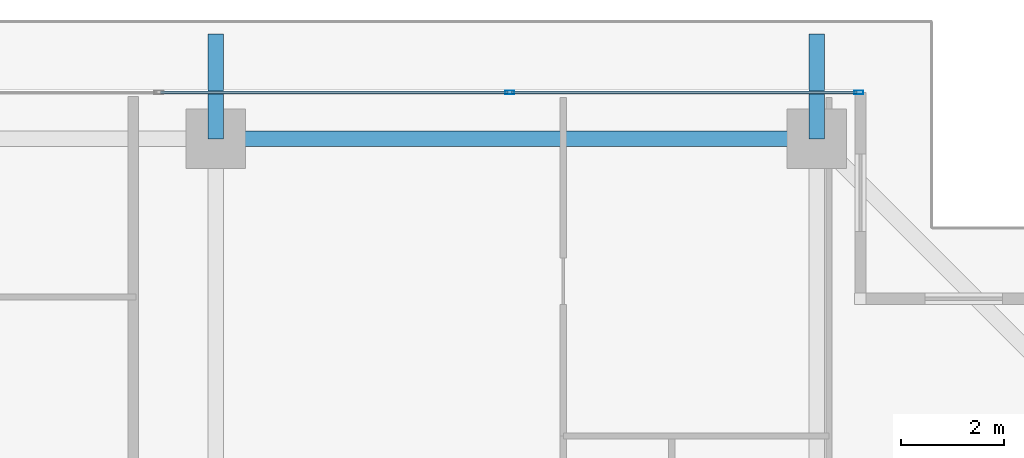
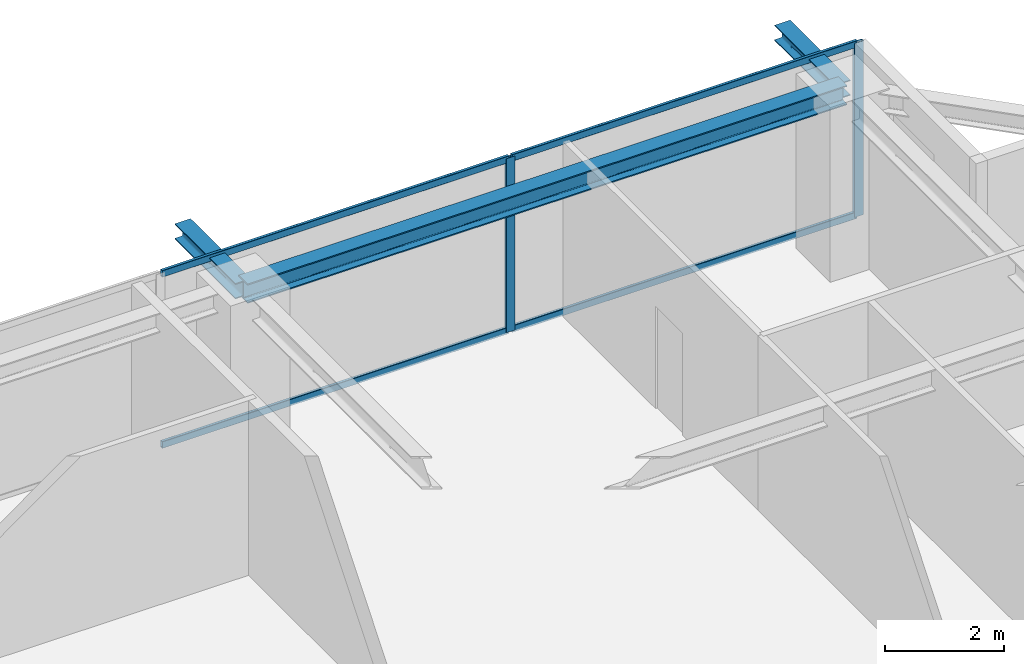
# One storey, part 22 of 35: 6 members, 3 beams, 1 element without a shape of its own.
"""IFC4 building model written with IfcOpenShell, lengths in metres."""

from ifc_helpers import new_model, si_unit, direction, frame, origin, origin_2d, place, context, subcontext, project, spatial, hollow_rectangle, i_section, extrude, source, transform, mapped, material, layer, layer_set, material_profile, profile_set, type_object, element, aggregate, save


model = new_model("IFC4")

# Units and contexts
model_context = context("Model", 3, precision=1e-05, world=origin(), true_north=direction((0.0, 1.0)))
body_context = subcontext(model_context, "Body", "Model", "MODEL_VIEW")
ifc_project = project(units=[si_unit("LENGTHUNIT", "METRE"), si_unit("AREAUNIT", "SQUARE_METRE"), si_unit("VOLUMEUNIT", "CUBIC_METRE"), si_unit("PLANEANGLEUNIT", "RADIAN"), si_unit("MASSUNIT", "GRAM", prefix="KILO")], contexts=[model_context])

# Site, building, storey
site_placement = place(None, origin())
site = spatial("IfcSite", under=ifc_project, at=site_placement, CompositionType="ELEMENT")
building_placement = place(site_placement, origin())
building = spatial("IfcBuilding", under=site, at=building_placement, Name="Serunith Strait Residences", CompositionType="ELEMENT")
storey_placement = place(building_placement, frame((0.0, 0.0, 214.300048828125)))
storey = spatial("IfcBuildingStorey", under=building, at=storey_placement, Name="L53", CompositionType="ELEMENT", Elevation=214.300048828125)

# Beams
ifc_material_1 = material(Name="Steel S355J2", Category="steel")
ifc_material_profile_1 = material_profile(ifc_material_1, i_section(OverallWidth=0.300048828125, OverallDepth=0.39990234375, WebThickness=0.013427734375, FlangeThickness=0.02392578125, FilletRadius=0.027099609375, at=origin_2d()), Name="HEB 400")
ifc_profile_set_1 = profile_set([ifc_material_profile_1], Name="Steel S355J2")
beam_type_1 = type_object("IfcBeamType", Name="BM-HEB400", PredefinedType="BEAM", material=ifc_profile_set_1)
shared_shape_1 = source(origin(), body_context, "Body", "SweptSolid", [
    extrude(i_section(OverallWidth=0.300048828125, OverallDepth=0.39990234375, WebThickness=0.013427734375, FlangeThickness=0.02392578125, FilletRadius=0.027099609375, at=origin_2d()), origin(), (0.0, 0.0, 1.0), 11.650146484375),
])
beam_placement = place(storey_placement, frame((48.550048828125, 48.300048828125, 3.386962890625), z_axis=(-1.0, 0.0, 0.0), x_axis=(0.0, -1.0, 0.0)))
element("IfcBeam", 1, at=beam_placement, inside=storey, type_object=beam_type_1, Name="L53 Perimeter Ring Beam 09", PredefinedType="BEAM", context=body_context, shape_type="MappedRepresentation", body=[
    mapped(shared_shape_1, transform((0.0, 0.0, 0.0), scale=1.0)),
])
ifc_material_profile_2 = material_profile(ifc_material_1, i_section(OverallWidth=0.300048828125, OverallDepth=0.320068359375, WebThickness=0.011474609375, FlangeThickness=0.0205078125, FilletRadius=0.027099609375, at=origin_2d()), Name="HEB 320")
ifc_profile_set_2 = profile_set([ifc_material_profile_2], Name="Steel S355J2")
beam_type_2 = type_object("IfcBeamType", Name="BM-HEB320", PredefinedType="BEAM", material=ifc_profile_set_2)
shared_shape_2 = source(origin(), body_context, "Body", "SweptSolid", [
    extrude(i_section(OverallWidth=0.300048828125, OverallDepth=0.320068359375, WebThickness=0.011474609375, FlangeThickness=0.0205078125, FilletRadius=0.027099609375, at=origin_2d()), origin(), (0.0, 0.0, 1.0), 2.030029296875),
])
for number, where, z_axis, x_axis, name in (
    (2, (36.89990234375, 48.300048828125, 3.39697265625), (0.0, 1.0, 0.0), (-1.0, 0.0, 0.0), "L54 Cantilevered Balcony Rib TC-N3"),
    (3, (48.550048828125, 48.300048828125, 3.39697265625), (0.0, 1.0, 0.0), (-1.0, 0.0, 0.0), "L54 Cantilevered Balcony Rib TC-N4"),
):
    element("IfcBeam", number, at=place(storey_placement, frame(where, z_axis=z_axis, x_axis=x_axis)), inside=storey, type_object=beam_type_2, Name=name, PredefinedType="BEAM", context=body_context, shape_type="MappedRepresentation", body=[
        mapped(shared_shape_2, transform((0.0, 0.0, 0.0), scale=1.0)),
    ])

# Curtain wall, members
ifc_material_2 = material(Name="Pale-Champagne Anodised Aluminium", Category="aluminium")
ifc_layer = layer(ifc_material_2, 0.199951171875, Name="Pale-Champagne Anodised Aluminium")
ifc_layer_set = layer_set([ifc_layer], Name="Pale-Champagne Anodised Aluminium")
curtain_wall_type = type_object("IfcCurtainWallType", Name="CW-SYS4", PredefinedType="NOTDEFINED", material=ifc_layer_set)
curtain_wall_placement = place(storey_placement, origin())
curtain_wall = element("IfcCurtainWall", 4, at=curtain_wall_placement, inside=storey, type_object=curtain_wall_type, Name="L53 N Unitised Fritted Curtain Wall", PredefinedType="NOTDEFINED")
ifc_material_profile_3 = material_profile(ifc_material_2, hollow_rectangle(XDim=0.06494140625, YDim=0.179931640625, WallThickness=0.00341796875, InnerFilletRadius=0.00537109375, OuterFilletRadius=0.0087890625, at=origin_2d()), Name="ALU 180x65x3.5")
ifc_profile_set_3 = profile_set([ifc_material_profile_3], Name="Pale-Champagne Anodised Aluminium")
member_type_1 = type_object("IfcMemberType", Name="CW-SYS4-MULL", PredefinedType="MULLION", material=ifc_profile_set_3)
shared_shape_3 = source(origin(), body_context, "Body", "SweptSolid", [
    extrude(hollow_rectangle(XDim=0.06494140625, YDim=0.179931640625, WallThickness=0.00341796875, InnerFilletRadius=0.00537109375, OuterFilletRadius=0.0087890625, at=origin_2d()), origin(), (0.0, 0.0, 1.0), 3.574951171875),
])
member_1_placement = place(storey_placement, frame((49.367431640625, 49.199951171875, 0.0), z_axis=(0.0, 0.0, 1.0), x_axis=(0.0, -1.0, 0.0)))
member_1 = element("IfcMember", 5, at=member_1_placement, type_object=member_type_1, Name="CW-4 mullion 1", PredefinedType="MULLION", context=body_context, shape_type="MappedRepresentation", body=[
    mapped(shared_shape_3, transform((0.0, 0.0, 0.0), scale=1.0)),
])
member_2_placement = place(storey_placement, frame((42.60009765625, 49.199951171875, 0.0), z_axis=(0.0, 0.0, 1.0), x_axis=(0.0, -1.0, 0.0)))
member_2 = element("IfcMember", 6, at=member_2_placement, type_object=member_type_1, Name="CW-4 mullion 2", PredefinedType="MULLION", context=body_context, shape_type="MappedRepresentation", body=[
    mapped(shared_shape_3, transform((0.0, 0.0, 0.0), scale=1.0)),
])
ifc_material_profile_4 = material_profile(ifc_material_2, hollow_rectangle(XDim=0.06005859375, YDim=0.139892578125, WallThickness=0.00341796875, InnerFilletRadius=0.00537109375, OuterFilletRadius=0.0087890625, at=origin_2d()), Name="ALU 140x60x3.5")
ifc_profile_set_4 = profile_set([ifc_material_profile_4], Name="Pale-Champagne Anodised Aluminium")
member_type_2 = type_object("IfcMemberType", Name="CW-SYS4-TRAN", PredefinedType="USERDEFINED", material=ifc_profile_set_4)
shared_shape_4 = source(origin(), body_context, "Body", "SweptSolid", [
    extrude(hollow_rectangle(XDim=0.06005859375, YDim=0.139892578125, WallThickness=0.00341796875, InnerFilletRadius=0.00537109375, OuterFilletRadius=0.0087890625, at=origin_2d()), origin(), (0.0, 0.0, 1.0), 6.702392578125),
])
member_3_placement = place(storey_placement, frame((49.3349609375, 49.199951171875, 0.030029296875), z_axis=(-1.0, 0.0, 0.0), x_axis=(0.0, -1.0, 0.0)))
member_3 = element("IfcMember", 7, at=member_3_placement, type_object=member_type_2, Name="CW-4 transom 1.1", ObjectType="TRANSOM", PredefinedType="USERDEFINED", context=body_context, shape_type="MappedRepresentation", body=[
    mapped(shared_shape_4, transform((0.0, 0.0, 0.0), scale=1.0)),
])
member_4_placement = place(storey_placement, frame((49.3349609375, 49.199951171875, 3.544921875), z_axis=(-1.0, 0.0, 0.0), x_axis=(0.0, -1.0, 0.0)))
member_4 = element("IfcMember", 8, at=member_4_placement, type_object=member_type_2, Name="CW-4 transom 1.2", ObjectType="TRANSOM", PredefinedType="USERDEFINED", context=body_context, shape_type="MappedRepresentation", body=[
    mapped(shared_shape_4, transform((0.0, 0.0, 0.0), scale=1.0)),
])
shared_shape_5 = source(origin(), body_context, "Body", "SweptSolid", [
    extrude(hollow_rectangle(XDim=0.06005859375, YDim=0.139892578125, WallThickness=0.00341796875, InnerFilletRadius=0.00537109375, OuterFilletRadius=0.0087890625, at=origin_2d()), origin(), (0.0, 0.0, 1.0), 6.73486328125),
])
member_5_placement = place(storey_placement, frame((42.5673828125, 49.199951171875, 0.030029296875), z_axis=(-1.0, 0.0, 0.0), x_axis=(0.0, -1.0, 0.0)))
member_5 = element("IfcMember", 9, at=member_5_placement, type_object=member_type_2, Name="CW-4 transom 2.1", ObjectType="TRANSOM", PredefinedType="USERDEFINED", context=body_context, shape_type="MappedRepresentation", body=[
    mapped(shared_shape_5, transform((0.0, 0.0, 0.0), scale=1.0)),
])
member_6_placement = place(storey_placement, frame((42.5673828125, 49.199951171875, 3.544921875), z_axis=(-1.0, 0.0, 0.0), x_axis=(0.0, -1.0, 0.0)))
member_6 = element("IfcMember", 10, at=member_6_placement, type_object=member_type_2, Name="CW-4 transom 2.2", ObjectType="TRANSOM", PredefinedType="USERDEFINED", context=body_context, shape_type="MappedRepresentation", body=[
    mapped(shared_shape_5, transform((0.0, 0.0, 0.0), scale=1.0)),
])
aggregate(curtain_wall, [member_1, member_2, member_3, member_4, member_5, member_6])

save(model, "model.ifc")
